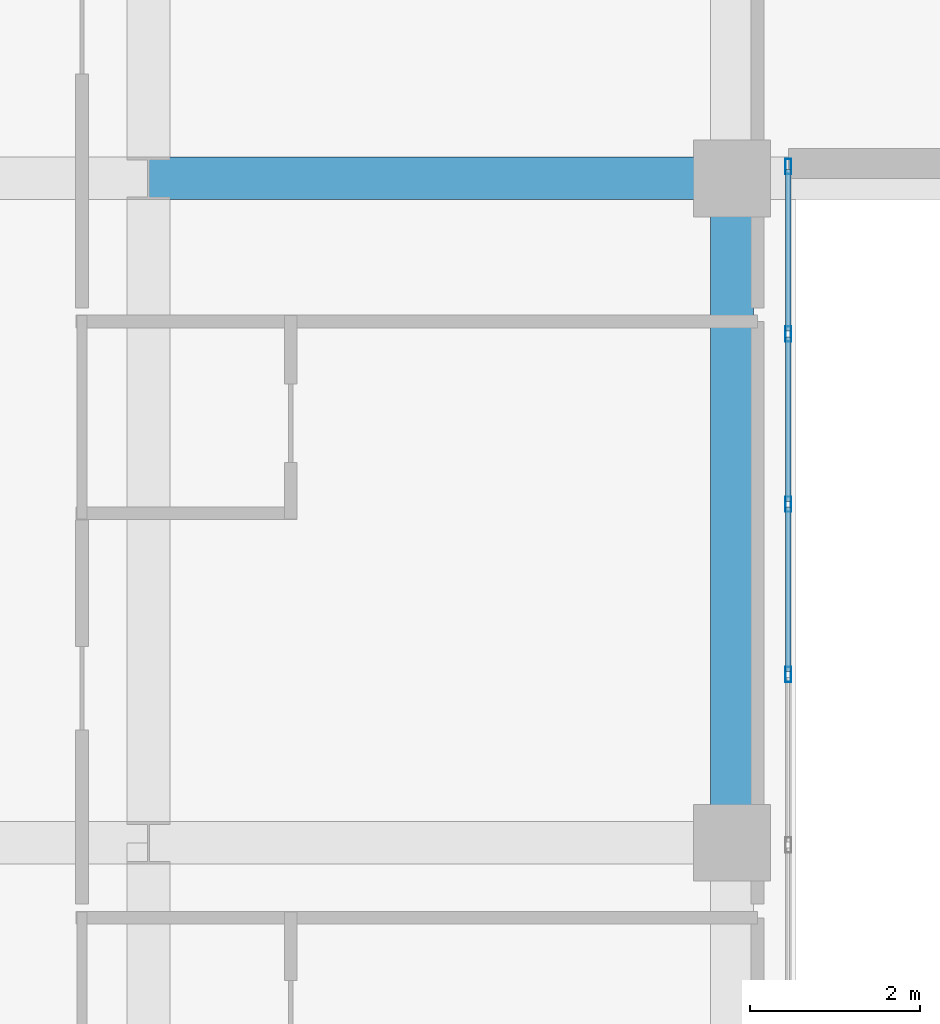
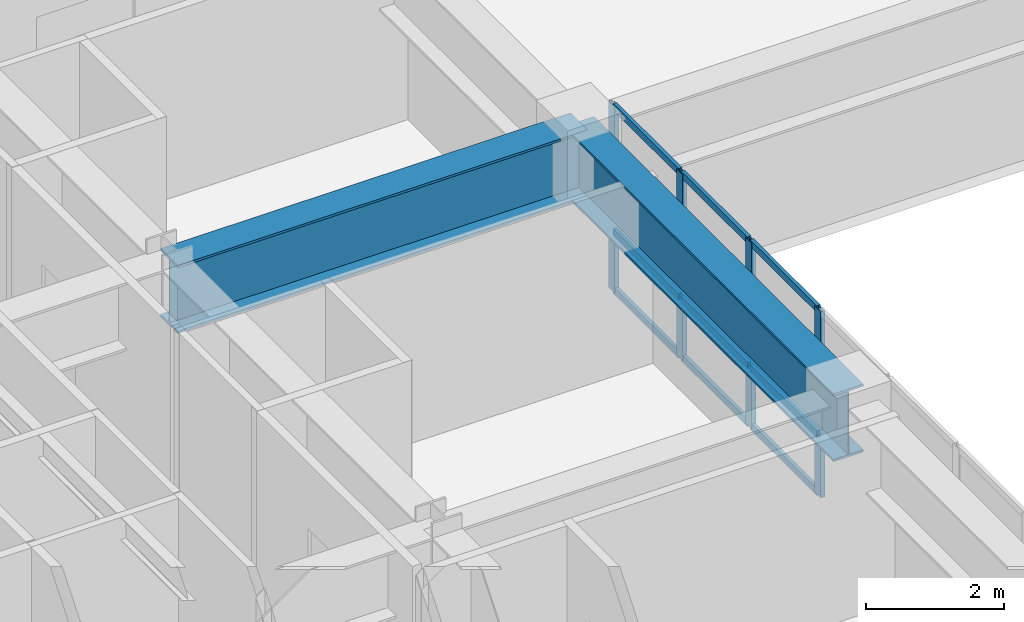
# One storey, part 3 of 15: 13 members, 2 beams, 1 element without a shape of its own.
"""IFC4 building model written with IfcOpenShell, lengths in metres."""

from ifc_helpers import new_model, si_unit, direction, frame, origin, origin_2d, place, context, subcontext, project, spatial, hollow_rectangle, i_section, extrude, source, transform, mapped, material, layer, layer_set, material_profile, profile_set, type_object, type_shapes, element, aggregate, save


model = new_model("IFC4")

# Units and contexts
model_context = context("Model", 3, precision=1e-05, world=origin(), true_north=direction((0.0, 1.0)))
body_context = subcontext(model_context, "Body", "Model", "MODEL_VIEW")
ifc_project = project(units=[si_unit("LENGTHUNIT", "METRE"), si_unit("AREAUNIT", "SQUARE_METRE"), si_unit("VOLUMEUNIT", "CUBIC_METRE"), si_unit("PLANEANGLEUNIT", "RADIAN"), si_unit("MASSUNIT", "GRAM", prefix="KILO")], contexts=[model_context])

# Site, building, storey
site_placement = place(None, origin())
site = spatial("IfcSite", under=ifc_project, at=site_placement, CompositionType="ELEMENT")
building_placement = place(site_placement, origin())
building = spatial("IfcBuilding", under=site, at=building_placement, Name="Tolvann Quenvar Hotel", CompositionType="ELEMENT")
storey_placement = place(building_placement, frame((0.0, 0.0, 143.5)))
storey = spatial("IfcBuildingStorey", under=building, at=storey_placement, Name="L37", CompositionType="ELEMENT", Elevation=143.5)

# Beams
ifc_material_1 = material(Name="Steel Grade 350", Category="steel")
ifc_material_profile_1 = material_profile(ifc_material_1, i_section(OverallWidth=0.5, OverallDepth=1.199951171875, WebThickness=0.01611328125, FlangeThickness=0.0400390625, at=origin_2d()), Name="1200WB455")
ifc_profile_set_1 = profile_set([ifc_material_profile_1], Name="Steel Grade 350")
beam_type = type_object("IfcBeamType", Name="BM_TG_1200WB455", PredefinedType="USERDEFINED", material=ifc_profile_set_1)
shared_shape_1 = source(origin(), body_context, "Body", "SweptSolid", [
    extrude(i_section(OverallWidth=0.5, OverallDepth=1.199951171875, WebThickness=0.01611328125, FlangeThickness=0.0400390625, at=origin_2d()), origin(), (0.0, 0.0, 1.0), 7.800048828125),
])
beam_1_placement = place(storey_placement, frame((22.050048828125, 8.199951171875, 2.68994140625), z_axis=(0.0, 1.0, 0.0), x_axis=(-1.0, 0.0, 0.0)))
element("IfcBeam", 1, at=beam_1_placement, inside=storey, type_object=beam_type, Name="BM-L37-NS-E3-E4", ObjectType="TRANSFER GIRDER", PredefinedType="USERDEFINED", context=body_context, shape_type="MappedRepresentation", body=[
    mapped(shared_shape_1, transform((0.0, 0.0, 0.0), x_axis=(1.0, 0.0, 0.0), y_axis=(0.0, 1.0, 0.0), z_axis=(0.0, 0.0, 1.0), scale=1.0)),
])
shared_shape_2 = source(origin(), body_context, "Body", "SweptSolid", [
    extrude(i_section(OverallWidth=0.5, OverallDepth=1.199951171875, WebThickness=0.01611328125, FlangeThickness=0.0400390625, at=origin_2d()), origin(), (0.0, 0.0, 1.0), 6.85009765625),
])
type_shapes(beam_type, [shared_shape_1, shared_shape_2])
beam_2_placement = place(storey_placement, frame((15.199951171875, 16.0, 2.68994140625), z_axis=(1.0, 0.0, 0.0), x_axis=(0.0, 1.0, 0.0)))
element("IfcBeam", 2, at=beam_2_placement, inside=storey, type_object=beam_type, Name="BM-L37-EW-4-D4-E4", ObjectType="TRANSFER GIRDER", PredefinedType="USERDEFINED", context=body_context, shape_type="MappedRepresentation", body=[
    mapped(shared_shape_2, transform((0.0, 0.0, 0.0), x_axis=(1.0, 0.0, 0.0), y_axis=(0.0, 1.0, 0.0), z_axis=(0.0, 0.0, 1.0), scale=1.0)),
])

# Curtain wall, members
ifc_material_2 = material(Name="Thermally broken anodised architectural aluminium 6063-T6 and laminated low-E glass", Category="aluminium")
ifc_layer = layer(ifc_material_2, 0.179931640625)
ifc_layer_set = layer_set([ifc_layer], Name="Thermally broken anodised architectural aluminium 6063-T6 and laminated low-E glass")
curtain_wall_type = type_object("IfcCurtainWallType", Name="CW_SYS_SLOT_03", PredefinedType="USERDEFINED", material=ifc_layer_set)
curtain_wall_placement = place(storey_placement, origin())
curtain_wall = element("IfcCurtainWall", 3, at=curtain_wall_placement, inside=storey, type_object=curtain_wall_type, Name="Curtain Wall CW-SLOT-03 (CWR-L37-E05)", ObjectType="UNITISED CURTAIN WALL", PredefinedType="USERDEFINED")
ifc_material_3 = material(Name="Anodised architectural aluminium 6063-T6 framing", Category="aluminium")
ifc_material_profile_2 = material_profile(ifc_material_3, hollow_rectangle(XDim=0.06005859375, YDim=0.1201171875, WallThickness=0.00341796875, at=origin_2d()), Name="120x60x3.5RHS")
ifc_profile_set_2 = profile_set([ifc_material_profile_2], Name="Anodised architectural aluminium 6063-T6 framing")
member_type_1 = type_object("IfcMemberType", Name="CW_TRAN_120x60", PredefinedType="USERDEFINED", material=ifc_profile_set_2)
shared_shape_3 = source(origin(), body_context, "Body", "SweptSolid", [
    extrude(hollow_rectangle(XDim=0.06005859375, YDim=0.1201171875, WallThickness=0.00341796875, at=origin_2d()), origin(), (0.0, 0.0, 1.0), 1.929931640625),
])
member_1_placement = place(storey_placement, frame((22.7099609375, 10.2099609375, 0.030029296875), z_axis=(0.0, 1.0, 0.0), x_axis=(-1.0, 0.0, 0.0)))
member_1 = element("IfcMember", 4, at=member_1_placement, type_object=member_type_1, Name="CW-SLOT-03 transom 6.1", ObjectType="TRANSOM", PredefinedType="USERDEFINED", context=body_context, shape_type="MappedRepresentation", body=[
    mapped(shared_shape_3, transform((0.0, 0.0, 0.0), x_axis=(1.0, 0.0, 0.0), y_axis=(0.0, 1.0, 0.0), z_axis=(0.0, 0.0, 1.0), scale=1.0)),
])
member_2_placement = place(storey_placement, frame((22.7099609375, 10.2099609375, 1.050048828125), z_axis=(0.0, 1.0, 0.0), x_axis=(-1.0, 0.0, 0.0)))
member_2 = element("IfcMember", 5, at=member_2_placement, type_object=member_type_1, Name="CW-SLOT-03 transom 6.2", ObjectType="TRANSOM", PredefinedType="USERDEFINED", context=body_context, shape_type="MappedRepresentation", body=[
    mapped(shared_shape_3, transform((0.0, 0.0, 0.0), x_axis=(1.0, 0.0, 0.0), y_axis=(0.0, 1.0, 0.0), z_axis=(0.0, 0.0, 1.0), scale=1.0)),
])
member_3_placement = place(storey_placement, frame((22.7099609375, 10.2099609375, 3.260009765625), z_axis=(0.0, 1.0, 0.0), x_axis=(-1.0, 0.0, 0.0)))
member_3 = element("IfcMember", 6, at=member_3_placement, type_object=member_type_1, Name="CW-SLOT-03 transom 6.3", ObjectType="TRANSOM", PredefinedType="USERDEFINED", context=body_context, shape_type="MappedRepresentation", body=[
    mapped(shared_shape_3, transform((0.0, 0.0, 0.0), x_axis=(1.0, 0.0, 0.0), y_axis=(0.0, 1.0, 0.0), z_axis=(0.0, 0.0, 1.0), scale=1.0)),
])
member_4_placement = place(storey_placement, frame((22.7099609375, 12.2099609375, 0.030029296875), z_axis=(0.0, 1.0, 0.0), x_axis=(-1.0, 0.0, 0.0)))
member_4 = element("IfcMember", 7, at=member_4_placement, type_object=member_type_1, Name="CW-SLOT-03 transom 7.1", ObjectType="TRANSOM", PredefinedType="USERDEFINED", context=body_context, shape_type="MappedRepresentation", body=[
    mapped(shared_shape_3, transform((0.0, 0.0, 0.0), x_axis=(1.0, 0.0, 0.0), y_axis=(0.0, 1.0, 0.0), z_axis=(0.0, 0.0, 1.0), scale=1.0)),
])
member_5_placement = place(storey_placement, frame((22.7099609375, 12.2099609375, 1.050048828125), z_axis=(0.0, 1.0, 0.0), x_axis=(-1.0, 0.0, 0.0)))
member_5 = element("IfcMember", 8, at=member_5_placement, type_object=member_type_1, Name="CW-SLOT-03 transom 7.2", ObjectType="TRANSOM", PredefinedType="USERDEFINED", context=body_context, shape_type="MappedRepresentation", body=[
    mapped(shared_shape_3, transform((0.0, 0.0, 0.0), x_axis=(1.0, 0.0, 0.0), y_axis=(0.0, 1.0, 0.0), z_axis=(0.0, 0.0, 1.0), scale=1.0)),
])
member_6_placement = place(storey_placement, frame((22.7099609375, 12.2099609375, 3.260009765625), z_axis=(0.0, 1.0, 0.0), x_axis=(-1.0, 0.0, 0.0)))
member_6 = element("IfcMember", 9, at=member_6_placement, type_object=member_type_1, Name="CW-SLOT-03 transom 7.3", ObjectType="TRANSOM", PredefinedType="USERDEFINED", context=body_context, shape_type="MappedRepresentation", body=[
    mapped(shared_shape_3, transform((0.0, 0.0, 0.0), x_axis=(1.0, 0.0, 0.0), y_axis=(0.0, 1.0, 0.0), z_axis=(0.0, 0.0, 1.0), scale=1.0)),
])
shared_shape_4 = source(origin(), body_context, "Body", "SweptSolid", [
    extrude(hollow_rectangle(XDim=0.06005859375, YDim=0.1201171875, WallThickness=0.00341796875, at=origin_2d()), origin(), (0.0, 0.0, 1.0), 1.89501953125),
])
type_shapes(member_type_1, [shared_shape_3, shared_shape_4])
member_7_placement = place(storey_placement, frame((22.7099609375, 14.2099609375, 0.030029296875), z_axis=(0.0, 1.0, 0.0), x_axis=(-1.0, 0.0, 0.0)))
member_7 = element("IfcMember", 10, at=member_7_placement, type_object=member_type_1, Name="CW-SLOT-03 transom 8.1", ObjectType="TRANSOM", PredefinedType="USERDEFINED", context=body_context, shape_type="MappedRepresentation", body=[
    mapped(shared_shape_4, transform((0.0, 0.0, 0.0), x_axis=(1.0, 0.0, 0.0), y_axis=(0.0, 1.0, 0.0), z_axis=(0.0, 0.0, 1.0), scale=1.0)),
])
member_8_placement = place(storey_placement, frame((22.7099609375, 14.2099609375, 1.050048828125), z_axis=(0.0, 1.0, 0.0), x_axis=(-1.0, 0.0, 0.0)))
member_8 = element("IfcMember", 11, at=member_8_placement, type_object=member_type_1, Name="CW-SLOT-03 transom 8.2", ObjectType="TRANSOM", PredefinedType="USERDEFINED", context=body_context, shape_type="MappedRepresentation", body=[
    mapped(shared_shape_4, transform((0.0, 0.0, 0.0), x_axis=(1.0, 0.0, 0.0), y_axis=(0.0, 1.0, 0.0), z_axis=(0.0, 0.0, 1.0), scale=1.0)),
])
member_9_placement = place(storey_placement, frame((22.7099609375, 14.2099609375, 3.260009765625), z_axis=(0.0, 1.0, 0.0), x_axis=(-1.0, 0.0, 0.0)))
member_9 = element("IfcMember", 12, at=member_9_placement, type_object=member_type_1, Name="CW-SLOT-03 transom 8.3", ObjectType="TRANSOM", PredefinedType="USERDEFINED", context=body_context, shape_type="MappedRepresentation", body=[
    mapped(shared_shape_4, transform((0.0, 0.0, 0.0), x_axis=(1.0, 0.0, 0.0), y_axis=(0.0, 1.0, 0.0), z_axis=(0.0, 0.0, 1.0), scale=1.0)),
])
ifc_material_profile_3 = material_profile(ifc_material_3, hollow_rectangle(XDim=0.070068359375, YDim=0.179931640625, WallThickness=0.00390625, at=origin_2d()), Name="180x70x4RHS")
ifc_profile_set_3 = profile_set([ifc_material_profile_3], Name="Anodised architectural aluminium 6063-T6 framing")
member_type_2 = type_object("IfcMemberType", Name="CW_MULL_180x70", PredefinedType="MULLION", material=ifc_profile_set_3)
shared_shape_5 = source(origin(), body_context, "Body", "SweptSolid", [
    extrude(hollow_rectangle(XDim=0.070068359375, YDim=0.179931640625, WallThickness=0.00390625, at=origin_2d()), origin(), (0.0, 0.0, 1.0), 3.2900390625),
])
type_shapes(member_type_2, [shared_shape_5])
member_10_placement = place(storey_placement, frame((22.7099609375, 10.175048828125, 0.0), z_axis=(0.0, 0.0, 1.0), x_axis=(-1.0, 0.0, 0.0)))
member_10 = element("IfcMember", 13, at=member_10_placement, type_object=member_type_2, Name="CW-SLOT-03 mullion 6", PredefinedType="MULLION", context=body_context, shape_type="MappedRepresentation", body=[
    mapped(shared_shape_5, transform((0.0, 0.0, 0.0), x_axis=(1.0, 0.0, 0.0), y_axis=(0.0, 1.0, 0.0), z_axis=(0.0, 0.0, 1.0), scale=1.0)),
])
member_11_placement = place(storey_placement, frame((22.7099609375, 12.175048828125, 0.0), z_axis=(0.0, 0.0, 1.0), x_axis=(-1.0, 0.0, 0.0)))
member_11 = element("IfcMember", 14, at=member_11_placement, type_object=member_type_2, Name="CW-SLOT-03 mullion 7", PredefinedType="MULLION", context=body_context, shape_type="MappedRepresentation", body=[
    mapped(shared_shape_5, transform((0.0, 0.0, 0.0), x_axis=(1.0, 0.0, 0.0), y_axis=(0.0, 1.0, 0.0), z_axis=(0.0, 0.0, 1.0), scale=1.0)),
])
member_12_placement = place(storey_placement, frame((22.7099609375, 14.175048828125, 0.0), z_axis=(0.0, 0.0, 1.0), x_axis=(-1.0, 0.0, 0.0)))
member_12 = element("IfcMember", 15, at=member_12_placement, type_object=member_type_2, Name="CW-SLOT-03 mullion 8", PredefinedType="MULLION", context=body_context, shape_type="MappedRepresentation", body=[
    mapped(shared_shape_5, transform((0.0, 0.0, 0.0), x_axis=(1.0, 0.0, 0.0), y_axis=(0.0, 1.0, 0.0), z_axis=(0.0, 0.0, 1.0), scale=1.0)),
])
member_13_placement = place(storey_placement, frame((22.7099609375, 16.139892578125, 0.0), z_axis=(0.0, 0.0, 1.0), x_axis=(-1.0, 0.0, 0.0)))
member_13 = element("IfcMember", 16, at=member_13_placement, type_object=member_type_2, Name="CW-SLOT-03 mullion 9", PredefinedType="MULLION", context=body_context, shape_type="MappedRepresentation", body=[
    mapped(shared_shape_5, transform((0.0, 0.0, 0.0), x_axis=(1.0, 0.0, 0.0), y_axis=(0.0, 1.0, 0.0), z_axis=(0.0, 0.0, 1.0), scale=1.0)),
])
aggregate(curtain_wall, [member_10, member_11, member_12, member_13, member_1, member_2, member_3, member_4, member_5, member_6, member_7, member_8, member_9])

save(model, "model.ifc")
